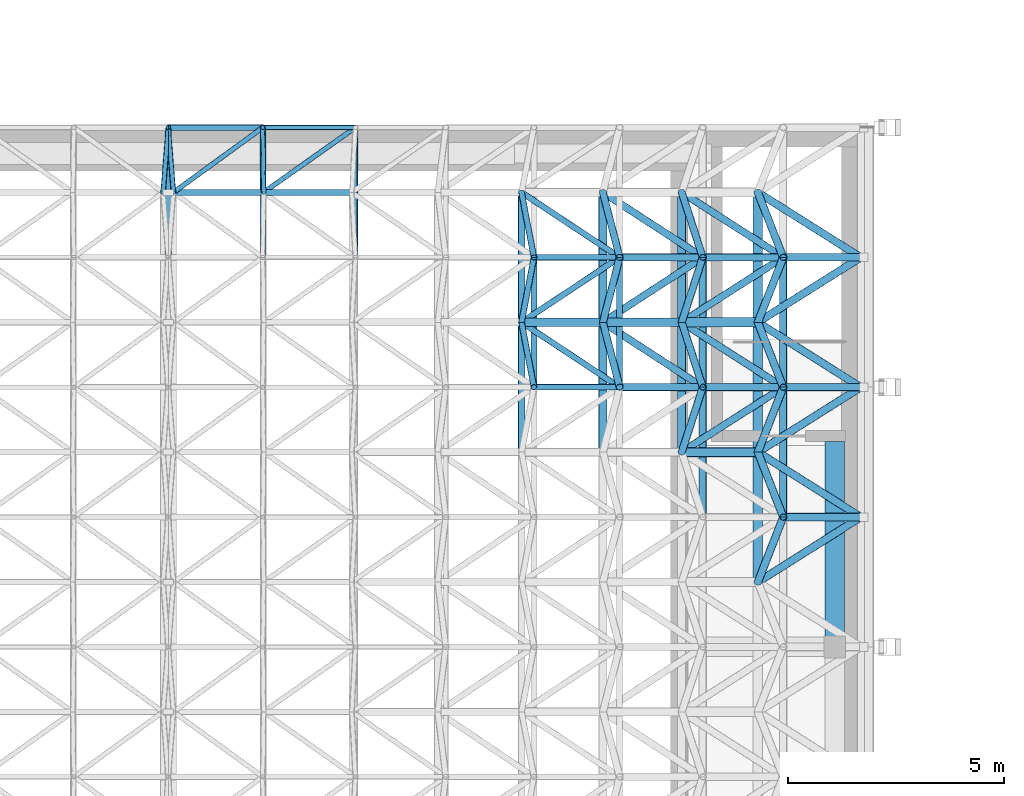
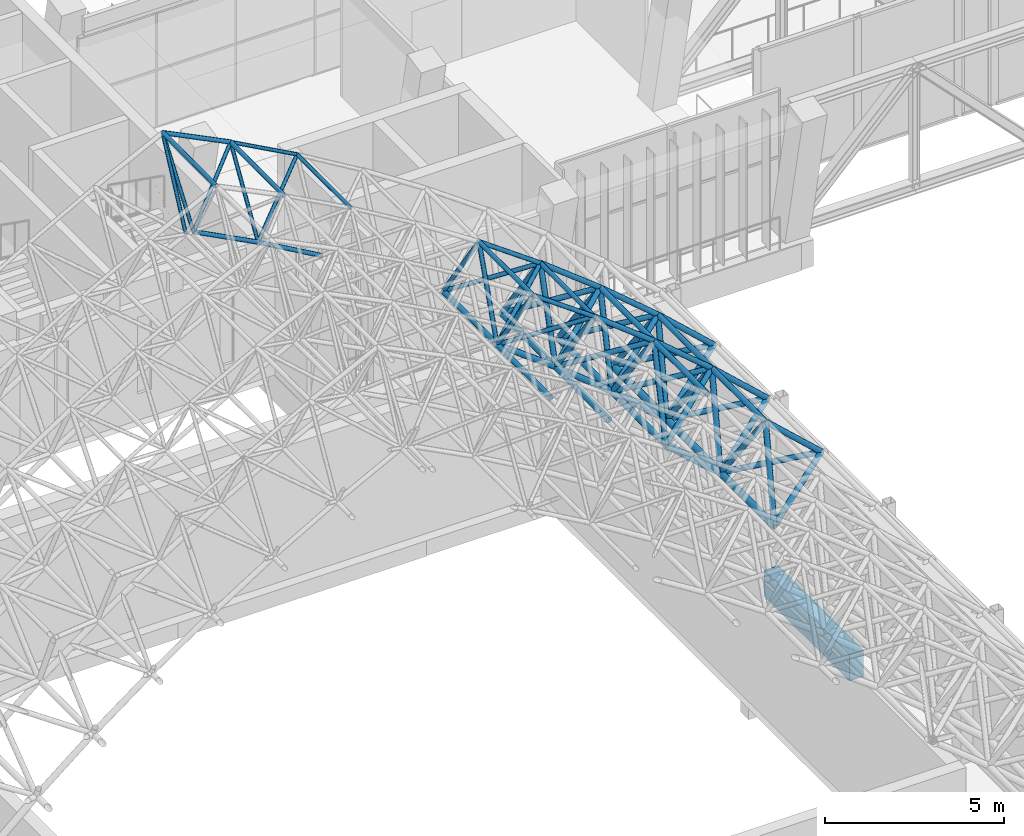
# One storey, part 28 of 141: 72 members, 1 beam.
"""IFC4 building model written with IfcOpenShell, lengths in metres."""

from ifc_helpers import new_model, si_unit, direction, frame, origin, origin_2d, place, context, subcontext, project, spatial, rectangle, hollow_circle, extrude, material, material_profile, profile_set, type_object, element, save


model = new_model("IFC4")

# Units and contexts
model_context = context("Model", 3, precision=1e-05, world=origin(), true_north=direction((0.0, 1.0)))
body_context = subcontext(model_context, "Body", "Model", "MODEL_VIEW")
ifc_project = project(units=[si_unit("LENGTHUNIT", "METRE"), si_unit("AREAUNIT", "SQUARE_METRE"), si_unit("VOLUMEUNIT", "CUBIC_METRE"), si_unit("PLANEANGLEUNIT", "RADIAN"), si_unit("MASSUNIT", "GRAM", prefix="KILO")], contexts=[model_context])

# Site, building, storey
site_placement = place(None, origin())
site = spatial("IfcSite", under=ifc_project, at=site_placement, CompositionType="ELEMENT")
building_placement = place(site_placement, origin())
building = spatial("IfcBuilding", under=site, at=building_placement, Name="Lantern Court Media Centre", CompositionType="ELEMENT")
storey_placement = place(building_placement, frame((0.0, 0.0, 9.60009765625)))
storey = spatial("IfcBuildingStorey", under=building, at=storey_placement, Name="L02", CompositionType="ELEMENT", Elevation=9.60009765625)

# Members
ifc_material_1 = material(Name="Steel S355J2 (EN 10025-2)", Category="steel")
ifc_material_profile_1 = material_profile(ifc_material_1, hollow_circle(Radius=0.06982421875, WallThickness=0.00634765625, at=origin_2d()), Name="Cinema Hall bottom CHS 139.7x6.3")
ifc_profile_set_1 = profile_set([ifc_material_profile_1], Name="Steel S355J2 (EN 10025-2)")
member_type_1 = type_object("IfcMemberType", Name="Cinema Hall bottom CHS 139.7x6.3", PredefinedType="CHORD", material=ifc_profile_set_1)
member_1_placement = place(storey_placement, frame((16.12060546875, 38.5, 13.298583984375), z_axis=(0.88681645353, 0.0, -0.462121821329), x_axis=(0.0, 1.0, 0.0)))
element("IfcMember", 1, at=member_1_placement, inside=storey, type_object=member_type_1, Name="Cinema Hall bottom chord 09-14 across", PredefinedType="CHORD", context=body_context, shape_type="SweptSolid", body=[
    extrude(hollow_circle(Radius=0.06982421875, WallThickness=0.00634765625, at=origin_2d()), origin(), (0.0, 0.0, 1.0), 2.348388671875),
])
member_2_placement = place(storey_placement, frame((18.203125, 38.5, 12.21337890625), z_axis=(0.867294659253, 0.0, -0.497795112503), x_axis=(0.0, 1.0, 0.0)))
element("IfcMember", 2, at=member_2_placement, inside=storey, type_object=member_type_1, Name="Cinema Hall bottom chord 10-14 across", PredefinedType="CHORD", context=body_context, shape_type="SweptSolid", body=[
    extrude(hollow_circle(Radius=0.06982421875, WallThickness=0.00634765625, at=origin_2d()), origin(), (0.0, 0.0, 1.0), 2.34814453125),
])
ifc_material_profile_2 = material_profile(ifc_material_1, hollow_circle(Radius=0.084228515625, WallThickness=0.008056640625, at=origin_2d()), Name="Cinema Hall bottom CHS 168.3x8")
ifc_profile_set_2 = profile_set([ifc_material_profile_2], Name="Steel S355J2 (EN 10025-2)")
member_type_2 = type_object("IfcMemberType", Name="Cinema Hall bottom CHS 168.3x8", PredefinedType="CHORD", material=ifc_profile_set_2)
for number, where, z_axis, x_axis, name in (
    (3, (24.162353515625, 32.5, 8.463623046875), (0.0, 1.0, 0.0), (-1.0, 0.0, 0.0), "Cinema Hall bottom chord 13-12"),
    (4, (24.162353515625, 35.5, 8.463623046875), (0.0, 1.0, 0.0), (-1.0, 0.0, 0.0), "Cinema Hall bottom chord 13-13"),
):
    element("IfcMember", number, at=place(storey_placement, frame(where, z_axis=z_axis, x_axis=x_axis)), inside=storey, type_object=member_type_2, Name=name, PredefinedType="CHORD", context=body_context, shape_type="SweptSolid", body=[
        extrude(hollow_circle(Radius=0.084228515625, WallThickness=0.008056640625, at=origin_2d()), origin(), (0.0, 0.0, 1.0), 3.0),
    ])
ifc_material_profile_3 = material_profile(ifc_material_1, hollow_circle(Radius=0.096923828125, WallThickness=0.010009765625, at=origin_2d()), Name="Cinema Hall bottom CHS 193.7x10")
ifc_profile_set_3 = profile_set([ifc_material_profile_3], Name="Steel S355J2 (EN 10025-2)")
member_type_3 = type_object("IfcMemberType", Name="Cinema Hall bottom CHS 193.7x10", PredefinedType="CHORD", material=ifc_profile_set_3)
for number, where, z_axis, x_axis, name in (
    (5, (27.8623046875, 32.5, 5.57275390625), (0.0, 1.0, 0.0), (-1.0, 0.0, 0.0), "Cinema Hall bottom chord 15-12"),
    (6, (27.8623046875, 35.5, 5.57275390625), (0.0, 1.0, 0.0), (-1.0, 0.0, 0.0), "Cinema Hall bottom chord 15-13"),
):
    element("IfcMember", number, at=place(storey_placement, frame(where, z_axis=z_axis, x_axis=x_axis)), inside=storey, type_object=member_type_3, Name=name, PredefinedType="CHORD", context=body_context, shape_type="SweptSolid", body=[
        extrude(hollow_circle(Radius=0.096923828125, WallThickness=0.010009765625, at=origin_2d()), origin(), (0.0, 0.0, 1.0), 3.0),
    ])
member_3_placement = place(storey_placement, frame((26.041748046875, 35.5, 7.0556640625), z_axis=(0.775340578175, 0.0, -0.63154333805), x_axis=(0.0, 1.0, 0.0)))
element("IfcMember", 7, at=member_3_placement, inside=storey, type_object=member_type_3, Name="Cinema Hall bottom chord 14-13 across", PredefinedType="CHORD", context=body_context, shape_type="SweptSolid", body=[
    extrude(hollow_circle(Radius=0.096923828125, WallThickness=0.010009765625, at=origin_2d()), origin(), (0.0, 0.0, 1.0), 2.34814453125),
])
ifc_material_profile_4 = material_profile(ifc_material_1, hollow_circle(Radius=0.096923828125, WallThickness=0.008056640625, at=origin_2d()), Name="Cinema Hall bottom CHS 193.7x8")
ifc_profile_set_4 = profile_set([ifc_material_profile_4], Name="Steel S355J2 (EN 10025-2)")
member_type_4 = type_object("IfcMemberType", Name="Cinema Hall bottom CHS 193.7x8", PredefinedType="CHORD", material=ifc_profile_set_4)
for number, where, z_axis, x_axis, name in (
    (8, (26.041748046875, 32.5, 7.0556640625), (0.0, 1.0, 0.0), (-1.0, 0.0, 0.0), "Cinema Hall bottom chord 14-12"),
    (9, (26.041748046875, 35.5, 7.0556640625), (0.0, 1.0, 0.0), (-1.0, 0.0, 0.0), "Cinema Hall bottom chord 14-13"),
):
    element("IfcMember", number, at=place(storey_placement, frame(where, z_axis=z_axis, x_axis=x_axis)), inside=storey, type_object=member_type_4, Name=name, PredefinedType="CHORD", context=body_context, shape_type="SweptSolid", body=[
        extrude(hollow_circle(Radius=0.096923828125, WallThickness=0.008056640625, at=origin_2d()), origin(), (0.0, 0.0, 1.0), 3.0),
    ])
member_4_placement = place(storey_placement, frame((24.162353515625, 35.5, 8.463623046875), z_axis=(0.800324254575, 0.0, -0.599567417009), x_axis=(0.0, 1.0, 0.0)))
element("IfcMember", 10, at=member_4_placement, inside=storey, type_object=member_type_4, Name="Cinema Hall bottom chord 13-13 across", PredefinedType="CHORD", context=body_context, shape_type="SweptSolid", body=[
    extrude(hollow_circle(Radius=0.096923828125, WallThickness=0.008056640625, at=origin_2d()), origin(), (0.0, 0.0, 1.0), 2.348388671875),
])
ifc_material_profile_5 = material_profile(ifc_material_1, hollow_circle(Radius=0.109619140625, WallThickness=0.010009765625, at=origin_2d()), Name="Cinema Hall bottom CHS 219.1x10")
ifc_profile_set_5 = profile_set([ifc_material_profile_5], Name="Steel S355J2 (EN 10025-2)")
member_type_5 = type_object("IfcMemberType", Name="Cinema Hall bottom CHS 219.1x10", PredefinedType="CHORD", material=ifc_profile_set_5)
for number, where, z_axis, x_axis, name in (
    (11, (29.621337890625, 29.5, 4.016845703125), (0.0, 1.0, 0.0), (-1.0, 0.0, 0.0), "Cinema Hall bottom chord 16-11"),
    (12, (29.621337890625, 32.5, 4.016845703125), (0.0, 1.0, 0.0), (-1.0, 0.0, 0.0), "Cinema Hall bottom chord 16-12"),
    (13, (29.621337890625, 35.5, 4.016845703125), (0.0, 1.0, 0.0), (-1.0, 0.0, 0.0), "Cinema Hall bottom chord 16-13"),
):
    element("IfcMember", number, at=place(storey_placement, frame(where, z_axis=z_axis, x_axis=x_axis)), inside=storey, type_object=member_type_5, Name=name, PredefinedType="CHORD", context=body_context, shape_type="SweptSolid", body=[
        extrude(hollow_circle(Radius=0.109619140625, WallThickness=0.010009765625, at=origin_2d()), origin(), (0.0, 0.0, 1.0), 3.0),
    ])
for number, where, z_axis, x_axis, name in (
    (14, (27.8623046875, 32.5, 5.57275390625), (0.749030294531, 0.0, -0.662535748375), (0.0, 1.0, 0.0), "Cinema Hall bottom chord 15-12 across"),
    (15, (27.8623046875, 35.5, 5.57275390625), (0.749030294531, 0.0, -0.662535748375), (0.0, 1.0, 0.0), "Cinema Hall bottom chord 15-13 across"),
):
    element("IfcMember", number, at=place(storey_placement, frame(where, z_axis=z_axis, x_axis=x_axis)), inside=storey, type_object=member_type_5, Name=name, PredefinedType="CHORD", context=body_context, shape_type="SweptSolid", body=[
        extrude(hollow_circle(Radius=0.109619140625, WallThickness=0.010009765625, at=origin_2d()), origin(), (0.0, 0.0, 1.0), 2.348388671875),
    ])
ifc_material_profile_6 = material_profile(ifc_material_1, hollow_circle(Radius=0.05712890625, WallThickness=0.0048828125, at=origin_2d()), Name="Cinema Hall diagonal CHS 114.3x5")
ifc_profile_set_6 = profile_set([ifc_material_profile_6], Name="Steel S355J2 (EN 10025-2)")
member_type_6 = type_object("IfcMemberType", Name="Cinema Hall diagonal CHS 114.3x5", PredefinedType="BRACE", material=ifc_profile_set_6)
member_5_placement = place(storey_placement, frame((15.87939453125, 38.5, 13.298583984375), z_axis=(0.041317175069, 0.513871910171, 0.85687137365), x_axis=(-0.996783215266, 0.080145004613, 0.0)))
element("IfcMember", 16, at=member_5_placement, inside=storey, type_object=member_type_6, Name="Cinema Hall diagonal 08-14-3", PredefinedType="BRACE", context=body_context, shape_type="SweptSolid", body=[
    extrude(hollow_circle(Radius=0.05712890625, WallThickness=0.0048828125, at=origin_2d()), origin(), (0.0, 0.0, 1.0), 2.9189453125),
])
member_6_placement = place(storey_placement, frame((16.12060546875, 38.5, 13.298583984375), z_axis=(0.706879781117, 0.513851085564, 0.486084392789), x_axis=(-0.587989591395, 0.808868493892, 0.0)))
element("IfcMember", 17, at=member_6_placement, inside=storey, type_object=member_type_6, Name="Cinema Hall diagonal 09-14-3", PredefinedType="BRACE", context=body_context, shape_type="SweptSolid", body=[
    extrude(hollow_circle(Radius=0.05712890625, WallThickness=0.0048828125, at=origin_2d()), origin(), (0.0, 0.0, 1.0), 2.919189453125),
])
member_7_placement = place(storey_placement, frame((16.12060546875, 38.5, 13.298583984375), z_axis=(-0.041317175069, 0.513871910171, 0.85687137365), x_axis=(-0.996783215266, -0.080145004613, 0.0)))
element("IfcMember", 18, at=member_7_placement, inside=storey, type_object=member_type_6, Name="Cinema Hall diagonal 09-14-4", PredefinedType="BRACE", context=body_context, shape_type="SweptSolid", body=[
    extrude(hollow_circle(Radius=0.05712890625, WallThickness=0.0048828125, at=origin_2d()), origin(), (0.0, 0.0, 1.0), 2.9189453125),
])
ifc_material_profile_7 = material_profile(ifc_material_1, hollow_circle(Radius=0.05712890625, WallThickness=0.00634765625, at=origin_2d()), Name="Cinema Hall diagonal CHS 114.3x6.3")
ifc_profile_set_7 = profile_set([ifc_material_profile_7], Name="Steel S355J2 (EN 10025-2)")
member_type_7 = type_object("IfcMemberType", Name="Cinema Hall diagonal CHS 114.3x6.3", PredefinedType="BRACE", material=ifc_profile_set_7)
for number, where, z_axis, x_axis, name in (
    (19, (18.203125, 38.5, 12.21337890625), (0.726033609038, 0.513852147671, 0.456980490702), (-0.577701627838, 0.816248019411, 0.0), "Cinema Hall diagonal 10-14-3"),
    (20, (18.203125, 38.5, 12.21337890625), (-0.006523580306, 0.513857402591, 0.857850810283), (-0.99991942426, -0.012694289566, 0.0), "Cinema Hall diagonal 10-14-4"),
):
    element("IfcMember", number, at=place(storey_placement, frame(where, z_axis=z_axis, x_axis=x_axis)), inside=storey, type_object=member_type_7, Name=name, PredefinedType="BRACE", context=body_context, shape_type="SweptSolid", body=[
        extrude(hollow_circle(Radius=0.05712890625, WallThickness=0.00634765625, at=origin_2d()), origin(), (0.0, 0.0, 1.0), 2.919189453125),
    ])
ifc_material_profile_8 = material_profile(ifc_material_1, hollow_circle(Radius=0.06982421875, WallThickness=0.008056640625, at=origin_2d()), Name="Cinema Hall diagonal CHS 139.7x8")
ifc_profile_set_8 = profile_set([ifc_material_profile_8], Name="Steel S355J2 (EN 10025-2)")
member_type_8 = type_object("IfcMemberType", Name="Cinema Hall diagonal CHS 139.7x8", PredefinedType="BRACE", material=ifc_profile_set_8)
member_8_placement = place(storey_placement, frame((24.162353515625, 35.5, 8.463623046875), z_axis=(0.09785614588, -0.51387022247, 0.852268484207), x_axis=(0.982346962135, 0.187068025016, 0.0)))
element("IfcMember", 21, at=member_8_placement, inside=storey, type_object=member_type_8, Name="Cinema Hall diagonal 13-13-1", PredefinedType="BRACE", context=body_context, shape_type="SweptSolid", body=[
    extrude(hollow_circle(Radius=0.06982421875, WallThickness=0.008056640625, at=origin_2d()), origin(), (0.0, 0.0, 1.0), 2.9189453125),
])
for number, where, z_axis, x_axis, name in (
    (22, (24.162353515625, 35.5, 8.463623046875), (0.776210877705, -0.513849761084, 0.365315064521), (0.552001963744, 0.833842810141, 0.0), "Cinema Hall diagonal 13-13-2"),
    (23, (24.162353515625, 35.5, 8.463623046875), (0.776210877705, 0.513849761084, 0.365315064521), (-0.552001963744, 0.833842810141, 0.0), "Cinema Hall diagonal 13-13-3"),
):
    element("IfcMember", number, at=place(storey_placement, frame(where, z_axis=z_axis, x_axis=x_axis)), inside=storey, type_object=member_type_8, Name=name, PredefinedType="BRACE", context=body_context, shape_type="SweptSolid", body=[
        extrude(hollow_circle(Radius=0.06982421875, WallThickness=0.008056640625, at=origin_2d()), origin(), (0.0, 0.0, 1.0), 2.919189453125),
    ])
for number, where, z_axis, x_axis, name in (
    (24, (24.162353515625, 35.5, 8.463623046875), (0.09785614588, 0.51387022247, 0.852268484207), (-0.982346962135, 0.187068025016, 0.0), "Cinema Hall diagonal 13-13-4"),
    (25, (24.162353515625, 38.5, 8.463623046875), (0.09785614588, -0.51387022247, 0.852268484207), (0.982346962135, 0.187068025016, 0.0), "Cinema Hall diagonal 13-14-1"),
):
    element("IfcMember", number, at=place(storey_placement, frame(where, z_axis=z_axis, x_axis=x_axis)), inside=storey, type_object=member_type_8, Name=name, PredefinedType="BRACE", context=body_context, shape_type="SweptSolid", body=[
        extrude(hollow_circle(Radius=0.06982421875, WallThickness=0.008056640625, at=origin_2d()), origin(), (0.0, 0.0, 1.0), 2.9189453125),
    ])
member_9_placement = place(storey_placement, frame((24.162353515625, 38.5, 8.463623046875), z_axis=(0.776210877705, -0.513849761084, 0.365315064521), x_axis=(0.552001963744, 0.833842810141, 0.0)))
element("IfcMember", 26, at=member_9_placement, inside=storey, type_object=member_type_8, Name="Cinema Hall diagonal 13-14-2", PredefinedType="BRACE", context=body_context, shape_type="SweptSolid", body=[
    extrude(hollow_circle(Radius=0.06982421875, WallThickness=0.008056640625, at=origin_2d()), origin(), (0.0, 0.0, 1.0), 2.919189453125),
])
ifc_material_profile_9 = material_profile(ifc_material_1, hollow_circle(Radius=0.084228515625, WallThickness=0.010009765625, at=origin_2d()), Name="Cinema Hall diagonal CHS 168.3x10")
ifc_profile_set_9 = profile_set([ifc_material_profile_9], Name="Steel S355J2 (EN 10025-2)")
member_type_9 = type_object("IfcMemberType", Name="Cinema Hall diagonal CHS 168.3x10", PredefinedType="BRACE", material=ifc_profile_set_9)
member_10_placement = place(storey_placement, frame((27.8623046875, 32.5, 5.57275390625), z_axis=(0.803309435106, 0.513850408047, 0.301084223465), x_axis=(-0.538854579896, 0.842398802068, 0.0)))
element("IfcMember", 27, at=member_10_placement, inside=storey, type_object=member_type_9, Name="Cinema Hall diagonal 15-12-3", PredefinedType="BRACE", context=body_context, shape_type="SweptSolid", body=[
    extrude(hollow_circle(Radius=0.084228515625, WallThickness=0.010009765625, at=origin_2d()), origin(), (0.0, 0.0, 1.0), 2.919189453125),
])
for number, where, z_axis, x_axis, name in (
    (28, (27.8623046875, 32.5, 5.57275390625), (0.166695380465, 0.513886812634, 0.841506383774), (-0.951206854862, 0.308553916299, 0.0), "Cinema Hall diagonal 15-12-4"),
    (29, (27.8623046875, 35.5, 5.57275390625), (0.166695380465, -0.513886812634, 0.841506383774), (0.951206854862, 0.308553916299, 0.0), "Cinema Hall diagonal 15-13-1"),
):
    element("IfcMember", number, at=place(storey_placement, frame(where, z_axis=z_axis, x_axis=x_axis)), inside=storey, type_object=member_type_9, Name=name, PredefinedType="BRACE", context=body_context, shape_type="SweptSolid", body=[
        extrude(hollow_circle(Radius=0.084228515625, WallThickness=0.010009765625, at=origin_2d()), origin(), (0.0, 0.0, 1.0), 2.9189453125),
    ])
for number, where, z_axis, x_axis, name in (
    (30, (27.8623046875, 35.5, 5.57275390625), (0.803309435106, -0.513850408047, 0.301084223465), (0.538854579896, 0.842398802068, 0.0), "Cinema Hall diagonal 15-13-2"),
    (31, (27.8623046875, 35.5, 5.57275390625), (0.803309435106, 0.513850408047, 0.301084223465), (-0.538854579896, 0.842398802068, 0.0), "Cinema Hall diagonal 15-13-3"),
):
    element("IfcMember", number, at=place(storey_placement, frame(where, z_axis=z_axis, x_axis=x_axis)), inside=storey, type_object=member_type_9, Name=name, PredefinedType="BRACE", context=body_context, shape_type="SweptSolid", body=[
        extrude(hollow_circle(Radius=0.084228515625, WallThickness=0.010009765625, at=origin_2d()), origin(), (0.0, 0.0, 1.0), 2.919189453125),
    ])
for number, where, z_axis, x_axis, name in (
    (32, (27.8623046875, 35.5, 5.57275390625), (0.166695380465, 0.513886812634, 0.841506383774), (-0.951206854862, 0.308553916299, 0.0), "Cinema Hall diagonal 15-13-4"),
    (33, (27.8623046875, 38.5, 5.57275390625), (0.166695380465, -0.513886812634, 0.841506383774), (0.951206854862, 0.308553916299, 0.0), "Cinema Hall diagonal 15-14-1"),
):
    element("IfcMember", number, at=place(storey_placement, frame(where, z_axis=z_axis, x_axis=x_axis)), inside=storey, type_object=member_type_9, Name=name, PredefinedType="BRACE", context=body_context, shape_type="SweptSolid", body=[
        extrude(hollow_circle(Radius=0.084228515625, WallThickness=0.010009765625, at=origin_2d()), origin(), (0.0, 0.0, 1.0), 2.9189453125),
    ])
member_11_placement = place(storey_placement, frame((27.8623046875, 38.5, 5.57275390625), z_axis=(0.803309435106, -0.513850408047, 0.301084223465), x_axis=(0.538854579896, 0.842398802068, 0.0)))
element("IfcMember", 34, at=member_11_placement, inside=storey, type_object=member_type_9, Name="Cinema Hall diagonal 15-14-2", PredefinedType="BRACE", context=body_context, shape_type="SweptSolid", body=[
    extrude(hollow_circle(Radius=0.084228515625, WallThickness=0.010009765625, at=origin_2d()), origin(), (0.0, 0.0, 1.0), 2.919189453125),
])
ifc_material_profile_10 = material_profile(ifc_material_1, hollow_circle(Radius=0.084228515625, WallThickness=0.008056640625, at=origin_2d()), Name="Cinema Hall diagonal CHS 168.3x8")
ifc_profile_set_10 = profile_set([ifc_material_profile_10], Name="Steel S355J2 (EN 10025-2)")
member_type_10 = type_object("IfcMemberType", Name="Cinema Hall diagonal CHS 168.3x8", PredefinedType="BRACE", material=ifc_profile_set_10)
member_12_placement = place(storey_placement, frame((26.041748046875, 35.5, 7.0556640625), z_axis=(0.132389678542, -0.513835871739, 0.847611744804), x_axis=(0.968374432366, 0.249501420318, 0.0)))
element("IfcMember", 35, at=member_12_placement, inside=storey, type_object=member_type_10, Name="Cinema Hall diagonal 14-13-1", PredefinedType="BRACE", context=body_context, shape_type="SweptSolid", body=[
    extrude(hollow_circle(Radius=0.084228515625, WallThickness=0.008056640625, at=origin_2d()), origin(), (0.0, 0.0, 1.0), 2.919189453125),
])
for number, where, z_axis, x_axis, name in (
    (36, (26.041748046875, 35.5, 7.0556640625), (0.790394065187, -0.513881601747, 0.333471019884), (0.545081898441, 0.838382802777, 0.0), "Cinema Hall diagonal 14-13-2"),
    (37, (26.041748046875, 35.5, 7.0556640625), (0.790394065187, 0.513881601747, 0.333471019884), (-0.545081898441, 0.838382802777, 0.0), "Cinema Hall diagonal 14-13-3"),
):
    element("IfcMember", number, at=place(storey_placement, frame(where, z_axis=z_axis, x_axis=x_axis)), inside=storey, type_object=member_type_10, Name=name, PredefinedType="BRACE", context=body_context, shape_type="SweptSolid", body=[
        extrude(hollow_circle(Radius=0.084228515625, WallThickness=0.008056640625, at=origin_2d()), origin(), (0.0, 0.0, 1.0), 2.9189453125),
    ])
for number, where, z_axis, x_axis, name in (
    (38, (26.041748046875, 35.5, 7.0556640625), (0.132389678542, 0.513835871739, 0.847611744804), (-0.968374432366, 0.249501420318, 0.0), "Cinema Hall diagonal 14-13-4"),
    (39, (26.041748046875, 38.5, 7.0556640625), (0.132389678542, -0.513835871739, 0.847611744804), (0.968374432366, 0.249501420318, 0.0), "Cinema Hall diagonal 14-14-1"),
):
    element("IfcMember", number, at=place(storey_placement, frame(where, z_axis=z_axis, x_axis=x_axis)), inside=storey, type_object=member_type_10, Name=name, PredefinedType="BRACE", context=body_context, shape_type="SweptSolid", body=[
        extrude(hollow_circle(Radius=0.084228515625, WallThickness=0.008056640625, at=origin_2d()), origin(), (0.0, 0.0, 1.0), 2.919189453125),
    ])
member_13_placement = place(storey_placement, frame((26.041748046875, 38.5, 7.0556640625), z_axis=(0.790394065187, -0.513881601747, 0.333471019884), x_axis=(0.545081898441, 0.838382802777, 0.0)))
element("IfcMember", 40, at=member_13_placement, inside=storey, type_object=member_type_10, Name="Cinema Hall diagonal 14-14-2", PredefinedType="BRACE", context=body_context, shape_type="SweptSolid", body=[
    extrude(hollow_circle(Radius=0.084228515625, WallThickness=0.008056640625, at=origin_2d()), origin(), (0.0, 0.0, 1.0), 2.9189453125),
])
ifc_material_profile_11 = material_profile(ifc_material_1, hollow_circle(Radius=0.0888671875, WallThickness=0.010009765625, at=origin_2d()), Name="Cinema Hall diagonal CHS 177.8x10")
ifc_profile_set_11 = profile_set([ifc_material_profile_11], Name="Steel S355J2 (EN 10025-2)")
member_type_11 = type_object("IfcMemberType", Name="Cinema Hall diagonal CHS 177.8x10", PredefinedType="BRACE", material=ifc_profile_set_11)
for number, where, z_axis, x_axis, name in (
    (41, (29.621337890625, 29.5, 4.016845703125), (0.814865608485, 0.513859622142, 0.268220671909), (-0.533404912089, 0.845860035561, 0.0), "Cinema Hall diagonal 16-11-3"),
    (42, (29.621337890625, 29.5, 4.016845703125), (0.200719513512, 0.513841954591, 0.834073211773), (-0.93145734948, 0.36385052714, 0.0), "Cinema Hall diagonal 16-11-4"),
    (43, (29.621337890625, 32.5, 4.016845703125), (0.200719513512, -0.513841954591, 0.834073211773), (0.93145734948, 0.36385052714, 0.0), "Cinema Hall diagonal 16-12-1"),
    (44, (29.621337890625, 32.5, 4.016845703125), (0.814865608485, -0.513859622142, 0.268220671909), (0.533404912089, 0.845860035561, 0.0), "Cinema Hall diagonal 16-12-2"),
    (45, (29.621337890625, 32.5, 4.016845703125), (0.814865608485, 0.513859622142, 0.268220671909), (-0.533404912089, 0.845860035561, 0.0), "Cinema Hall diagonal 16-12-3"),
    (46, (29.621337890625, 32.5, 4.016845703125), (0.200719513512, 0.513841954591, 0.834073211773), (-0.93145734948, 0.36385052714, 0.0), "Cinema Hall diagonal 16-12-4"),
    (47, (29.621337890625, 35.5, 4.016845703125), (0.200719513512, -0.513841954591, 0.834073211773), (0.93145734948, 0.36385052714, 0.0), "Cinema Hall diagonal 16-13-1"),
    (48, (29.621337890625, 35.5, 4.016845703125), (0.814865608485, -0.513859622142, 0.268220671909), (0.533404912089, 0.845860035561, 0.0), "Cinema Hall diagonal 16-13-2"),
    (49, (29.621337890625, 35.5, 4.016845703125), (0.814865608485, 0.513859622142, 0.268220671909), (-0.533404912089, 0.845860035561, 0.0), "Cinema Hall diagonal 16-13-3"),
    (50, (29.621337890625, 35.5, 4.016845703125), (0.200719513512, 0.513841954591, 0.834073211773), (-0.93145734948, 0.36385052714, 0.0), "Cinema Hall diagonal 16-13-4"),
    (51, (29.621337890625, 38.5, 4.016845703125), (0.200719513512, -0.513841954591, 0.834073211773), (0.93145734948, 0.36385052714, 0.0), "Cinema Hall diagonal 16-14-1"),
    (52, (29.621337890625, 38.5, 4.016845703125), (0.814865608485, -0.513859622142, 0.268220671909), (0.533404912089, 0.845860035561, 0.0), "Cinema Hall diagonal 16-14-2"),
):
    element("IfcMember", number, at=place(storey_placement, frame(where, z_axis=z_axis, x_axis=x_axis)), inside=storey, type_object=member_type_11, Name=name, PredefinedType="BRACE", context=body_context, shape_type="SweptSolid", body=[
        extrude(hollow_circle(Radius=0.0888671875, WallThickness=0.010009765625, at=origin_2d()), origin(), (0.0, 0.0, 1.0), 2.919189453125),
    ])
ifc_material_profile_12 = material_profile(ifc_material_1, hollow_circle(Radius=0.05712890625, WallThickness=0.00634765625, at=origin_2d()), Name="Cinema Hall top CHS 114.3x6.3")
ifc_profile_set_12 = profile_set([ifc_material_profile_12], Name="Steel S355J2 (EN 10025-2)")
member_type_12 = type_object("IfcMemberType", Name="Cinema Hall top CHS 114.3x6.3", PredefinedType="CHORD", material=ifc_profile_set_12)
member_14_placement = place(storey_placement, frame((20.322509765625, 37.0, 13.54736328125), z_axis=(0.0, 1.0, 0.0), x_axis=(-1.0, 0.0, 0.0)))
element("IfcMember", 53, at=member_14_placement, inside=storey, type_object=member_type_12, Name="Cinema Hall top chord 11-14", PredefinedType="CHORD", context=body_context, shape_type="SweptSolid", body=[
    extrude(hollow_circle(Radius=0.05712890625, WallThickness=0.00634765625, at=origin_2d()), origin(), (0.0, 0.0, 1.0), 3.0),
])
member_15_placement = place(storey_placement, frame((18.18408203125, 40.0, 14.717529296875), z_axis=(0.87724791815, 0.0, -0.480037592384), x_axis=(0.0, 1.0, 0.0)))
element("IfcMember", 54, at=member_15_placement, inside=storey, type_object=member_type_12, Name="Cinema Hall top chord 10-15 across", PredefinedType="CHORD", context=body_context, shape_type="SweptSolid", body=[
    extrude(hollow_circle(Radius=0.05712890625, WallThickness=0.00634765625, at=origin_2d()), origin(), (0.0, 0.0, 1.0), 2.437744140625),
])
ifc_material_profile_13 = material_profile(ifc_material_1, hollow_circle(Radius=0.06982421875, WallThickness=0.0048828125, at=origin_2d()), Name="Cinema Hall top CHS 139.7x5")
ifc_profile_set_13 = profile_set([ifc_material_profile_13], Name="Steel S355J2 (EN 10025-2)")
member_type_13 = type_object("IfcMemberType", Name="Cinema Hall top CHS 139.7x5", PredefinedType="CHORD", material=ifc_profile_set_13)
for number, where, z_axis, x_axis, name in (
    (55, (16.0, 37.0, 15.7998046875), (0.0, 1.0, 0.0), (-1.0, 0.0, 0.0), "Cinema Hall top chord 09-14"),
    (56, (18.18408203125, 37.0, 14.717529296875), (0.0, 1.0, 0.0), (-1.0, 0.0, 0.0), "Cinema Hall top chord 10-14"),
):
    element("IfcMember", number, at=place(storey_placement, frame(where, z_axis=z_axis, x_axis=x_axis)), inside=storey, type_object=member_type_13, Name=name, PredefinedType="CHORD", context=body_context, shape_type="SweptSolid", body=[
        extrude(hollow_circle(Radius=0.06982421875, WallThickness=0.0048828125, at=origin_2d()), origin(), (0.0, 0.0, 1.0), 3.0),
    ])
member_16_placement = place(storey_placement, frame((16.0, 40.0, 15.7998046875), z_axis=(0.896023995237, 0.0, -0.444005630549), x_axis=(0.0, 1.0, 0.0)))
element("IfcMember", 57, at=member_16_placement, inside=storey, type_object=member_type_13, Name="Cinema Hall top chord 09-15 across", PredefinedType="CHORD", context=body_context, shape_type="SweptSolid", body=[
    extrude(hollow_circle(Radius=0.06982421875, WallThickness=0.0048828125, at=origin_2d()), origin(), (0.0, 0.0, 1.0), 2.4375),
])
ifc_material_profile_14 = material_profile(ifc_material_1, hollow_circle(Radius=0.06982421875, WallThickness=0.00634765625, at=origin_2d()), Name="Cinema Hall top CHS 139.7x6.3")
ifc_profile_set_14 = profile_set([ifc_material_profile_14], Name="Steel S355J2 (EN 10025-2)")
member_type_14 = type_object("IfcMemberType", Name="Cinema Hall top CHS 139.7x6.3", PredefinedType="CHORD", material=ifc_profile_set_14)
member_17_placement = place(storey_placement, frame((24.447998046875, 34.0, 10.951416015625), z_axis=(0.0, 1.0, 0.0), x_axis=(-1.0, 0.0, 0.0)))
element("IfcMember", 58, at=member_17_placement, inside=storey, type_object=member_type_14, Name="Cinema Hall top chord 13-13", PredefinedType="CHORD", context=body_context, shape_type="SweptSolid", body=[
    extrude(hollow_circle(Radius=0.06982421875, WallThickness=0.00634765625, at=origin_2d()), origin(), (0.0, 0.0, 1.0), 3.0),
])
ifc_material_profile_15 = material_profile(ifc_material_1, hollow_circle(Radius=0.06982421875, WallThickness=0.008056640625, at=origin_2d()), Name="Cinema Hall top CHS 139.7x8")
ifc_profile_set_15 = profile_set([ifc_material_profile_15], Name="Steel S355J2 (EN 10025-2)")
member_type_15 = type_object("IfcMemberType", Name="Cinema Hall top CHS 139.7x8", PredefinedType="CHORD", material=ifc_profile_set_15)
member_18_placement = place(storey_placement, frame((26.42822265625, 34.0, 9.530029296875), z_axis=(0.0, 1.0, 0.0), x_axis=(-1.0, 0.0, 0.0)))
element("IfcMember", 59, at=member_18_placement, inside=storey, type_object=member_type_15, Name="Cinema Hall top chord 14-13", PredefinedType="CHORD", context=body_context, shape_type="SweptSolid", body=[
    extrude(hollow_circle(Radius=0.06982421875, WallThickness=0.008056640625, at=origin_2d()), origin(), (0.0, 0.0, 1.0), 3.0),
])
for number, where, z_axis, x_axis, name in (
    (60, (24.447998046875, 34.0, 10.951416015625), (0.812384562891, 0.0, -0.583122047239), (0.0, 1.0, 0.0), "Cinema Hall top chord 13-13 across"),
    (61, (24.447998046875, 37.0, 10.951416015625), (0.812384562891, 0.0, -0.583122047239), (0.0, 1.0, 0.0), "Cinema Hall top chord 13-14 across"),
):
    element("IfcMember", number, at=place(storey_placement, frame(where, z_axis=z_axis, x_axis=x_axis)), inside=storey, type_object=member_type_15, Name=name, PredefinedType="CHORD", context=body_context, shape_type="SweptSolid", body=[
        extrude(hollow_circle(Radius=0.06982421875, WallThickness=0.008056640625, at=origin_2d()), origin(), (0.0, 0.0, 1.0), 2.4375),
    ])
ifc_material_profile_16 = material_profile(ifc_material_1, hollow_circle(Radius=0.084228515625, WallThickness=0.010009765625, at=origin_2d()), Name="Cinema Hall top CHS 168.3x10")
ifc_profile_set_16 = profile_set([ifc_material_profile_16], Name="Steel S355J2 (EN 10025-2)")
member_type_16 = type_object("IfcMemberType", Name="Cinema Hall top CHS 168.3x10", PredefinedType="CHORD", material=ifc_profile_set_16)
for number, where, z_axis, x_axis, name in (
    (62, (30.207275390625, 31.0, 6.45166015625), (0.0, 1.0, 0.0), (-1.0, 0.0, 0.0), "Cinema Hall top chord 16-12"),
    (63, (30.207275390625, 34.0, 6.45166015625), (0.0, 1.0, 0.0), (-1.0, 0.0, 0.0), "Cinema Hall top chord 16-13"),
):
    element("IfcMember", number, at=place(storey_placement, frame(where, z_axis=z_axis, x_axis=x_axis)), inside=storey, type_object=member_type_16, Name=name, PredefinedType="CHORD", context=body_context, shape_type="SweptSolid", body=[
        extrude(hollow_circle(Radius=0.084228515625, WallThickness=0.010009765625, at=origin_2d()), origin(), (0.0, 0.0, 1.0), 3.0),
    ])
for number, where, z_axis, x_axis, name in (
    (64, (28.348876953125, 34.0, 8.029052734375), (0.762393833283, 0.0, -0.647113315403), (0.0, 1.0, 0.0), "Cinema Hall top chord 15-13 across"),
    (65, (28.348876953125, 37.0, 8.029052734375), (0.762393833283, 0.0, -0.647113315403), (0.0, 1.0, 0.0), "Cinema Hall top chord 15-14 across"),
):
    element("IfcMember", number, at=place(storey_placement, frame(where, z_axis=z_axis, x_axis=x_axis)), inside=storey, type_object=member_type_16, Name=name, PredefinedType="CHORD", context=body_context, shape_type="SweptSolid", body=[
        extrude(hollow_circle(Radius=0.084228515625, WallThickness=0.010009765625, at=origin_2d()), origin(), (0.0, 0.0, 1.0), 2.4375),
    ])
ifc_material_profile_17 = material_profile(ifc_material_1, hollow_circle(Radius=0.084228515625, WallThickness=0.008056640625, at=origin_2d()), Name="Cinema Hall top CHS 168.3x8")
ifc_profile_set_17 = profile_set([ifc_material_profile_17], Name="Steel S355J2 (EN 10025-2)")
member_type_17 = type_object("IfcMemberType", Name="Cinema Hall top CHS 168.3x8", PredefinedType="CHORD", material=ifc_profile_set_17)
for number, where, z_axis, x_axis, name in (
    (66, (28.348876953125, 31.0, 8.029052734375), (0.0, 1.0, 0.0), (-1.0, 0.0, 0.0), "Cinema Hall top chord 15-12"),
    (67, (28.348876953125, 34.0, 8.029052734375), (0.0, 1.0, 0.0), (-1.0, 0.0, 0.0), "Cinema Hall top chord 15-13"),
):
    element("IfcMember", number, at=place(storey_placement, frame(where, z_axis=z_axis, x_axis=x_axis)), inside=storey, type_object=member_type_17, Name=name, PredefinedType="CHORD", context=body_context, shape_type="SweptSolid", body=[
        extrude(hollow_circle(Radius=0.084228515625, WallThickness=0.008056640625, at=origin_2d()), origin(), (0.0, 0.0, 1.0), 3.0),
    ])
for number, where, z_axis, x_axis, name in (
    (68, (26.42822265625, 34.0, 9.530029296875), (0.787931739718, 0.0, -0.615762595117), (0.0, 1.0, 0.0), "Cinema Hall top chord 14-13 across"),
    (69, (26.42822265625, 37.0, 9.530029296875), (0.787931739718, 0.0, -0.615762595117), (0.0, 1.0, 0.0), "Cinema Hall top chord 14-14 across"),
):
    element("IfcMember", number, at=place(storey_placement, frame(where, z_axis=z_axis, x_axis=x_axis)), inside=storey, type_object=member_type_17, Name=name, PredefinedType="CHORD", context=body_context, shape_type="SweptSolid", body=[
        extrude(hollow_circle(Radius=0.084228515625, WallThickness=0.008056640625, at=origin_2d()), origin(), (0.0, 0.0, 1.0), 2.4375),
    ])
ifc_material_profile_18 = material_profile(ifc_material_1, hollow_circle(Radius=0.0888671875, WallThickness=0.010009765625, at=origin_2d()), Name="Cinema Hall top CHS 177.8x10")
ifc_profile_set_18 = profile_set([ifc_material_profile_18], Name="Steel S355J2 (EN 10025-2)")
member_type_18 = type_object("IfcMemberType", Name="Cinema Hall top CHS 177.8x10", PredefinedType="CHORD", material=ifc_profile_set_18)
for number, where, z_axis, x_axis, name in (
    (70, (30.207275390625, 31.0, 6.45166015625), (0.735409817039, 0.0, -0.677622609572), (0.0, 1.0, 0.0), "Cinema Hall top chord 16-12 across"),
    (71, (30.207275390625, 34.0, 6.45166015625), (0.735409817039, 0.0, -0.677622609572), (0.0, 1.0, 0.0), "Cinema Hall top chord 16-13 across"),
    (72, (30.207275390625, 37.0, 6.45166015625), (0.735409817039, 0.0, -0.677622609572), (0.0, 1.0, 0.0), "Cinema Hall top chord 16-14 across"),
):
    element("IfcMember", number, at=place(storey_placement, frame(where, z_axis=z_axis, x_axis=x_axis)), inside=storey, type_object=member_type_18, Name=name, PredefinedType="CHORD", context=body_context, shape_type="SweptSolid", body=[
        extrude(hollow_circle(Radius=0.0888671875, WallThickness=0.010009765625, at=origin_2d()), origin(), (0.0, 0.0, 1.0), 2.437744140625),
    ])

# Beam
ifc_material_2 = material(Name="Concrete C35", Category="concrete")
ifc_material_profile_19 = material_profile(ifc_material_2, rectangle(XDim=0.449951171875, YDim=0.89990234375, at=origin_2d()), Name="RC 450x900")
ifc_profile_set_19 = profile_set([ifc_material_profile_19], Name="Concrete C35")
beam_type = type_object("IfcBeamType", Name="RC BEAM 450x900", PredefinedType="BEAM", material=ifc_profile_set_19)
beam_placement = place(storey_placement, frame((31.39990234375, 28.0, -0.4501953125), z_axis=(0.0, 1.0, 0.0), x_axis=(-1.0, 0.0, 0.0)))
element("IfcBeam", 73, at=beam_placement, inside=storey, type_object=beam_type, Name="HB-V1-L02-FY4-5", PredefinedType="BEAM", context=body_context, shape_type="SweptSolid", body=[
    extrude(rectangle(XDim=0.449951171875, YDim=0.89990234375, at=origin_2d()), origin(), (0.0, 0.0, 1.0), 4.75),
])

save(model, "model.ifc")
